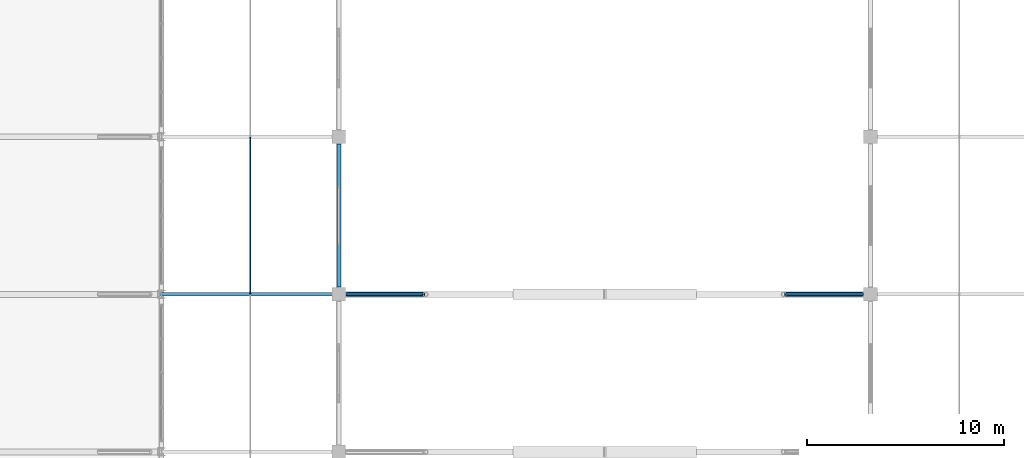
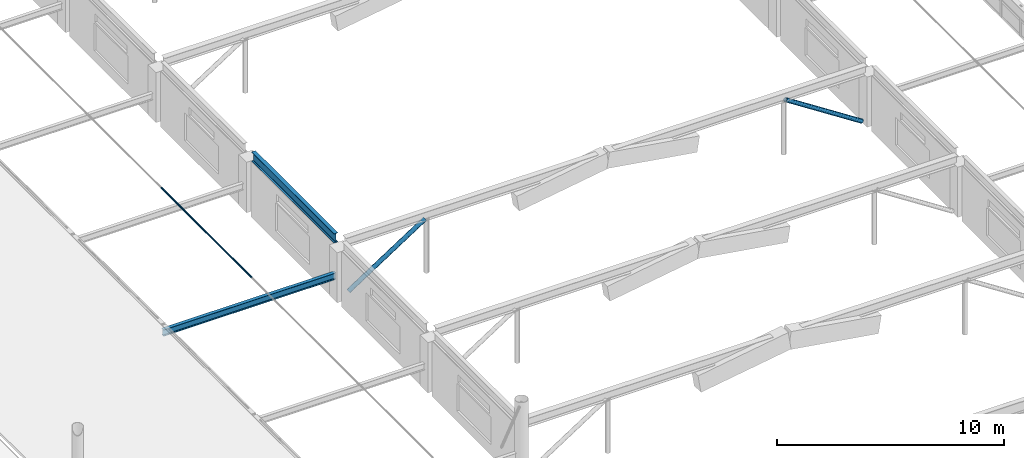
# One storey, part 26 of 128: 3 members, 2 beams.
"""IFC4 building model written with IfcOpenShell, lengths in metres."""

from ifc_helpers import new_model, si_unit, derived_unit, direction, frame, origin, origin_2d, place, context, subcontext, project, spatial, hollow_circle, i_section, extrude, material, material_profile, profile_set, type_object, element, save


model = new_model("IFC4")

# Units and contexts
model_context = context("Model", 3, precision=1e-05, world=origin(), true_north=direction((0.0, 1.0)))
body_context = subcontext(model_context, "Body", "Model", "MODEL_VIEW")
ifc_project = project(units=[si_unit("LENGTHUNIT", "METRE"), si_unit("AREAUNIT", "SQUARE_METRE"), si_unit("VOLUMEUNIT", "CUBIC_METRE"), si_unit("PLANEANGLEUNIT", "RADIAN"), si_unit("MASSUNIT", "GRAM", prefix="KILO"), derived_unit("THERMALTRANSMITTANCEUNIT", [(si_unit("MASSUNIT", "GRAM", prefix="KILO"), 1), (si_unit("TIMEUNIT", "SECOND"), -3), (si_unit("THERMODYNAMICTEMPERATUREUNIT", "KELVIN"), -1)])], contexts=[model_context])

# Site, building, storey
site_placement = place(None, origin())
site = spatial("IfcSite", under=ifc_project, at=site_placement, CompositionType="ELEMENT")
building_placement = place(site_placement, origin())
building = spatial("IfcBuilding", under=site, at=building_placement, Name="Zhenchuan Archway Interchange", CompositionType="ELEMENT")
storey_placement = place(building_placement, frame((0.0, 0.0, 14.39990234375)))
storey = spatial("IfcBuildingStorey", under=building, at=storey_placement, Name="L03", CompositionType="ELEMENT", Elevation=14.39990234375)

# Beams
ifc_material_1 = material(Name="Steel Q355", Category="steel")
ifc_material_profile_1 = material_profile(ifc_material_1, i_section(OverallWidth=0.175048828125, OverallDepth=0.35009765625, WebThickness=0.007080078125, FlangeThickness=0.010986328125, FilletRadius=0.013916015625, at=origin_2d()), Name="HN 350x175")
ifc_profile_set_1 = profile_set([ifc_material_profile_1], Name="Steel Q355")
beam_type_1 = type_object("IfcBeamType", Name="BM_STL_EAVE_HN350", PredefinedType="BEAM", material=ifc_profile_set_1)
beam_1_placement = place(storey_placement, frame((26.949951171875, 48.0, 1.25), z_axis=(1.0, 0.0, 0.0), x_axis=(0.0, 1.0, 0.0)))
element("IfcBeam", 1, at=beam_1_placement, inside=storey, type_object=beam_type_1, Name="Concourse west ring-to-clerestory tie beam 4", PredefinedType="BEAM", context=body_context, shape_type="SweptSolid", body=[
    extrude(i_section(OverallWidth=0.175048828125, OverallDepth=0.35009765625, WebThickness=0.007080078125, FlangeThickness=0.010986328125, FilletRadius=0.013916015625, at=origin_2d()), origin(), (0.0, 0.0, 1.0), 8.800048828125),
])
ifc_material_profile_2 = material_profile(ifc_material_1, i_section(OverallWidth=0.199951171875, OverallDepth=0.5, WebThickness=0.010009765625, FlangeThickness=0.01611328125, FilletRadius=0.02001953125, at=origin_2d()), Name="HN 500x200")
ifc_profile_set_2 = profile_set([ifc_material_profile_2], Name="Steel Q355")
beam_type_2 = type_object("IfcBeamType", Name="BM_STL_HN500", PredefinedType="BEAM", material=ifc_profile_set_2)
beam_2_placement = place(storey_placement, frame((36.0, 48.360107421875, 2.9501953125), z_axis=(0.0, 1.0, 0.0), x_axis=(-1.0, 0.0, 0.0)))
element("IfcBeam", 2, at=beam_2_placement, inside=storey, type_object=beam_type_2, Name="Concourse clerestory header beam W 48-56", PredefinedType="BEAM", context=body_context, shape_type="SweptSolid", body=[
    extrude(i_section(OverallWidth=0.199951171875, OverallDepth=0.5, WebThickness=0.010009765625, FlangeThickness=0.01611328125, FilletRadius=0.02001953125, at=origin_2d()), origin(), (0.0, 0.0, 1.0), 7.27978515625),
])

# Members
ifc_material_2 = material(Name="Steel Q390", Category="steel")
ifc_material_profile_3 = material_profile(ifc_material_2, hollow_circle(Radius=0.04443359375, WallThickness=0.006103515625, at=origin_2d()), Name="CHS 89x6")
ifc_profile_set_3 = profile_set([ifc_material_profile_3], Name="Steel Q390")
member_type_1 = type_object("IfcMemberType", Name="MB_CBL_CHS89", PredefinedType="USERDEFINED", material=ifc_profile_set_3)
member_placement = place(storey_placement, frame((31.5, 48.02001953125, 2.60009765625), z_axis=(0.0, 1.0, 0.0), x_axis=(-1.0, 0.0, 0.0)))
element("IfcMember", 3, at=member_placement, inside=storey, type_object=member_type_1, Name="CONCOURSE ROOF CABLE longitudinal net strand 3-1", ObjectType="CABLE", PredefinedType="USERDEFINED", context=body_context, shape_type="SweptSolid", body=[
    extrude(hollow_circle(Radius=0.04443359375, WallThickness=0.006103515625, at=origin_2d()), origin(), (0.0, 0.0, 1.0), 7.9599609375),
])
ifc_material_profile_4 = material_profile(ifc_material_1, hollow_circle(Radius=0.109619140625, WallThickness=0.008056640625, at=origin_2d()), Name="CHS 219x8")
ifc_profile_set_4 = profile_set([ifc_material_profile_4], Name="Steel Q355")
member_type_2 = type_object("IfcMemberType", Name="MB_CHS219", PredefinedType="BRACE", material=ifc_profile_set_4)
for number, where, z_axis, x_axis, name in (
    (4, (36.419921875, 48.0, 0.150146484375), (0.838941198119, 0.0, 0.544222074248), (0.0, 1.0, 0.0), "ROOF TRUSS concourse arch A3 west spandrel diagonal"),
    (5, (62.580078125, 48.0, 0.150146484375), (-0.838941198119, 0.0, 0.544222074248), (0.0, -1.0, 0.0), "ROOF TRUSS concourse arch A3 east spandrel diagonal"),
):
    element("IfcMember", number, at=place(storey_placement, frame(where, z_axis=z_axis, x_axis=x_axis)), inside=storey, type_object=member_type_2, Name=name, PredefinedType="BRACE", context=body_context, shape_type="SweptSolid", body=[
        extrude(hollow_circle(Radius=0.109619140625, WallThickness=0.008056640625, at=origin_2d()), origin(), (0.0, 0.0, 1.0), 4.64892578125),
    ])

save(model, "model.ifc")
